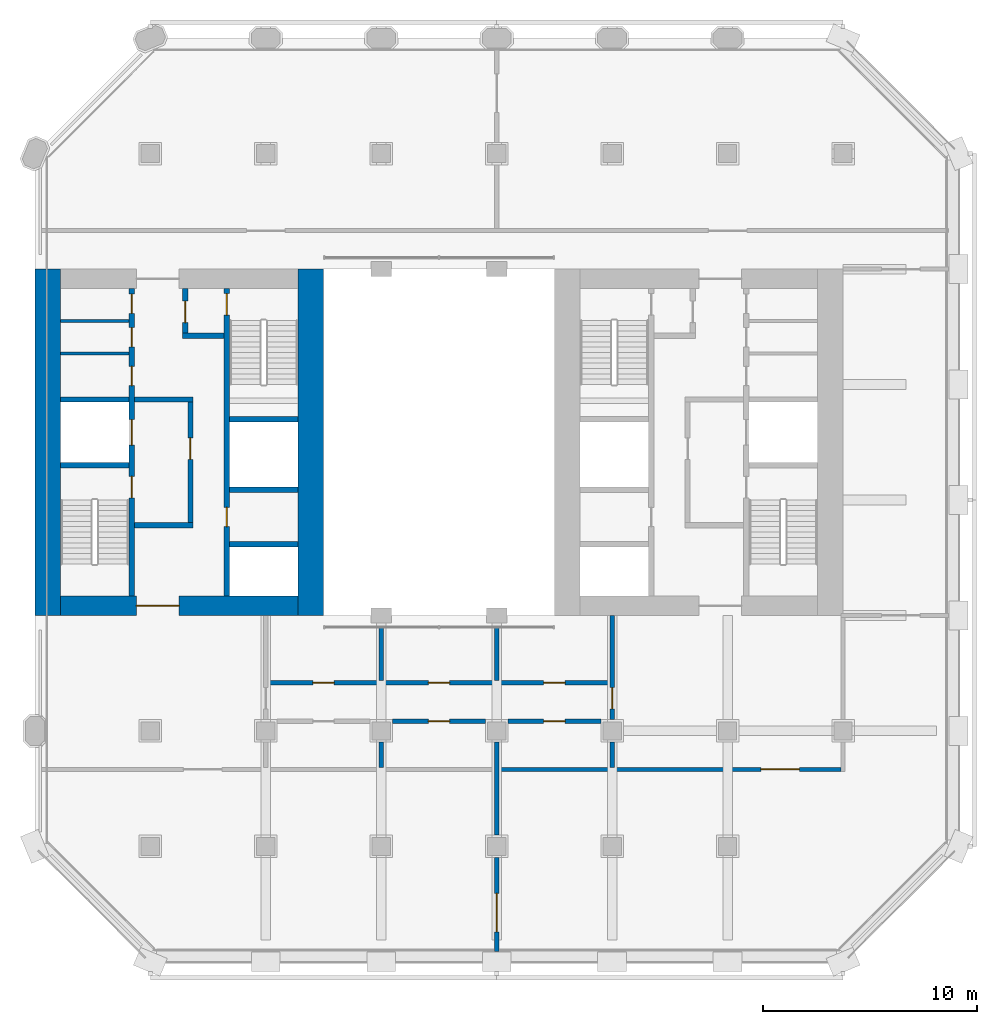
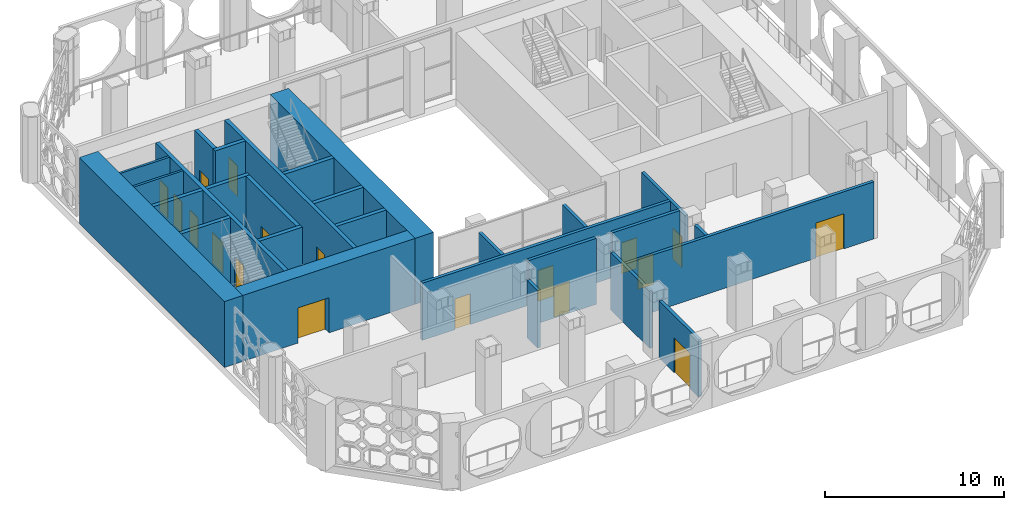
# One storey, part 8 of 14: 28 walls, 18 doors, 18 openings.
"""IFC4 building model written with IfcOpenShell, lengths in metres."""

from ifc_helpers import new_model, si_unit, direction, frame, frame_2d, origin, place, context, subcontext, project, spatial, rectangle, extrude, material, layer, layer_set, type_object, element, fill, save


model = new_model("IFC4")

# Units and contexts
model_context = context("Model", 3, precision=1e-05, world=origin(), true_north=direction((0.0, 1.0)))
body_context = subcontext(model_context, "Body", "Model", "MODEL_VIEW")
ifc_project = project(units=[si_unit("LENGTHUNIT", "METRE"), si_unit("AREAUNIT", "SQUARE_METRE"), si_unit("VOLUMEUNIT", "CUBIC_METRE"), si_unit("PLANEANGLEUNIT", "RADIAN"), si_unit("MASSUNIT", "GRAM", prefix="KILO")], contexts=[model_context])

# Site, building, storey
site_placement = place(None, origin())
site = spatial("IfcSite", under=ifc_project, at=site_placement, CompositionType="ELEMENT")
building_placement = place(site_placement, origin())
building = spatial("IfcBuilding", under=site, at=building_placement, Name="Tabaq Tower and Sports Hall", CompositionType="ELEMENT")
storey_placement = place(building_placement, frame((0.0, 0.0, 175.89990234375)))
storey = spatial("IfcBuildingStorey", under=building, at=storey_placement, Name="L42", CompositionType="ELEMENT", Elevation=175.89990234375)

# Walls
ifc_material_1 = material(Name="Blockwork", Category="masonry")
ifc_layer_1 = layer(ifc_material_1, 0.14990234375)
ifc_layer_set_1 = layer_set([ifc_layer_1], Name="Core room partition 150 Blockwork")
wall_type_1 = type_object("IfcWallType", Name="Core room partition 150 Blockwork", PredefinedType="PARTITIONING", material=ifc_layer_set_1)
for number, where, z_axis, x_axis, name in (
    (1, (6.60009765625, 28.455078125, 0.0), (0.0, 0.0, 1.0), (1.0, 0.0, 0.0), "Core room partition W L42"),
    (2, (6.60009765625, 29.97802734375, 0.0), (0.0, 0.0, 1.0), (1.0, 0.0, 0.0), "Core room partition W L42"),
):
    element("IfcWall", number, at=place(storey_placement, frame(where, z_axis=z_axis, x_axis=x_axis)), inside=storey, type_object=wall_type_1, Name=name, PredefinedType="PARTITIONING", context=body_context, shape_type="SweptSolid", body=[
        extrude(rectangle(XDim=3.199951171875, YDim=0.14990234375, at=frame_2d((1.60009765625, 0.0))), origin(), (0.0, 0.0, 1.0), 4.5),
    ])
ifc_material_2 = material(Name="Concrete C50/60", Category="concrete")
ifc_layer_2 = layer(ifc_material_2, 1.199951171875)
ifc_layer_set_2 = layer_set([ifc_layer_2], Name="Core wall 1200 Concrete C50/60")
wall_type_2 = type_object("IfcWallType", Name="Core wall 1200 Concrete C50/60", PredefinedType="SOLIDWALL", material=ifc_layer_set_2)
for number, where, z_axis, x_axis, name in (
    (3, (6.0, 16.199951171875, 0.0), (0.0, 0.0, 1.0), (0.0, 1.0, 0.0), "Core wall W L42"),
    (4, (18.300048828125, 32.39990234375, 0.0), (0.0, 0.0, 1.0), (0.0, -1.0, 0.0), "Core wall W L42"),
):
    element("IfcWall", number, at=place(storey_placement, frame(where, z_axis=z_axis, x_axis=x_axis)), inside=storey, type_object=wall_type_2, Name=name, PredefinedType="SOLIDWALL", context=body_context, shape_type="SweptSolid", body=[
        extrude(rectangle(XDim=16.199951171875, YDim=1.199951171875, at=frame_2d((8.10009765625, 0.0))), origin(), (0.0, 0.0, 1.0), 4.5),
    ])

# Wall, opening, door
ifc_material_3 = material(Name="Concrete C50/60", Category="concrete")
ifc_layer_3 = layer(ifc_material_3, 0.89990234375)
ifc_layer_set_3 = layer_set([ifc_layer_3], Name="Core wall 900 Concrete C50/60")
wall_type_3 = type_object("IfcWallType", Name="Core wall 900 Concrete C50/60", PredefinedType="SOLIDWALL", material=ifc_layer_set_3)
wall_1_placement = place(storey_placement, frame((17.699951171875, 16.64990234375, 0.0), z_axis=(0.0, 0.0, 1.0), x_axis=(-1.0, 0.0, 0.0)))
wall_1 = element("IfcWall", 5, at=wall_1_placement, inside=storey, type_object=wall_type_3, Name="Core wall W L42", PredefinedType="SOLIDWALL", context=body_context, shape_type="SweptSolid", body=[
    extrude(rectangle(XDim=11.099853515625, YDim=0.89990234375, at=frame_2d((5.5498046875, 0.0))), origin(), (0.0, 0.0, 1.0), 4.5),
])
opening_1_placement = place(wall_1_placement, frame((5.550048828125, 0.0, 0.0)))
opening_1 = element("IfcOpeningElement", 6, at=opening_1_placement, cuts=wall_1, Name="Opening PD-WL42-01", PredefinedType="OPENING", context=body_context, shape_type="SweptSolid", body=[
    extrude(rectangle(XDim=2.0, YDim=2.39990234375, at=frame_2d((1.0, 1.199951171875))), frame((0.0, 0.449951171875, 0.0), z_axis=(0.0, -1.0, 0.0), x_axis=(1.0, 0.0, 0.0)), (0.0, 0.0, 1.0), 0.89990234375),
])
ifc_material_4 = material(Name="Steel fire door", Category="steel")
door_type_1 = type_object("IfcDoorType", Name="Core entrance door 2000", OperationType="DOUBLE_DOOR_SINGLE_SWING", PredefinedType="DOOR", material=ifc_material_4)
door_1_placement = place(opening_1_placement, origin())
door_1 = element("IfcDoor", 7, at=door_1_placement, inside=storey, type_object=door_type_1, Name="Core entrance south W L42", OperationType="DOUBLE_DOOR_SINGLE_SWING", OverallHeight=2.39990234375, OverallWidth=2.0, PredefinedType="DOOR", context=body_context, shape_type="SweptSolid", body=[
    extrude(rectangle(XDim=2.0, YDim=2.39990234375, at=frame_2d((1.0, 1.199951171875))), frame((0.0, 0.02490234375, 0.0), z_axis=(0.0, -1.0, 0.0), x_axis=(1.0, 0.0, 0.0)), (0.0, 0.0, 1.0), 0.050048828125),
])
fill(opening_1, door_1)

ifc_material_5 = material(Name="Blockwork", Category="masonry")
ifc_layer_4 = layer(ifc_material_5, 0.199951171875)
ifc_layer_set_4 = layer_set([ifc_layer_4], Name="Fire compartment wall 200 Blockwork")
wall_type_4 = type_object("IfcWallType", Name="Fire compartment wall 200 Blockwork", PredefinedType="PARTITIONING", material=ifc_layer_set_4)
wall_2_placement = place(storey_placement, frame((22.125732421875, 11.25, 0.0), z_axis=(0.0, 0.0, 1.0), x_axis=(1.0, 0.0, 0.0)))
wall_2 = element("IfcWall", 8, at=wall_2_placement, inside=storey, type_object=wall_type_4, Name="Compartment wall L42", PredefinedType="PARTITIONING", context=body_context, shape_type="SweptSolid", body=[
    extrude(rectangle(XDim=4.3486328125, YDim=0.199951171875, at=frame_2d((2.17431640625, 0.0))), origin(), (0.0, 0.0, 1.0), 4.5),
])
opening_2_placement = place(wall_2_placement, frame((1.67431640625, 0.0, 0.0)))
opening_2 = element("IfcOpeningElement", 9, at=opening_2_placement, cuts=wall_2, Name="Opening L42-004", PredefinedType="OPENING", context=body_context, shape_type="SweptSolid", body=[
    extrude(rectangle(XDim=1.0, YDim=2.10009765625, at=frame_2d((0.5, 1.050048828125))), frame((0.0, 0.10009765625, 0.0), z_axis=(0.0, -1.0, 0.0), x_axis=(1.0, 0.0, 0.0)), (0.0, 0.0, 1.0), 0.199951171875),
])
ifc_material_6 = material(Name="Steel fire door", Category="steel")
door_type_2 = type_object("IfcDoorType", Name="Plant room door 1000 left hand", OperationType="SINGLE_SWING_LEFT", PredefinedType="DOOR", material=ifc_material_6)
door_2_placement = place(opening_2_placement, origin())
door_2 = element("IfcDoor", 10, at=door_2_placement, inside=storey, type_object=door_type_2, Name="Plant room door L42-004", OperationType="SINGLE_SWING_LEFT", OverallHeight=2.10009765625, OverallWidth=1.0, PredefinedType="DOOR", context=body_context, shape_type="SweptSolid", body=[
    extrude(rectangle(XDim=1.0, YDim=2.10009765625, at=frame_2d((0.5, 1.050048828125))), frame((0.0, 0.02490234375, 0.0), z_axis=(0.0, -1.0, 0.0), x_axis=(1.0, 0.0, 0.0)), (0.0, 0.0, 1.0), 0.050048828125),
])
fill(opening_2, door_2)

wall_3_placement = place(storey_placement, frame((27.525634765625, 11.25, 0.0), z_axis=(0.0, 0.0, 1.0), x_axis=(1.0, 0.0, 0.0)))
wall_3 = element("IfcWall", 11, at=wall_3_placement, inside=storey, type_object=wall_type_4, Name="Compartment wall L42", PredefinedType="PARTITIONING", context=body_context, shape_type="SweptSolid", body=[
    extrude(rectangle(XDim=4.3486328125, YDim=0.199951171875, at=frame_2d((2.17431640625, 0.0))), origin(), (0.0, 0.0, 1.0), 4.5),
])
opening_3_placement = place(wall_3_placement, frame((1.67431640625, 0.0, 0.0)))
opening_3 = element("IfcOpeningElement", 12, at=opening_3_placement, cuts=wall_3, Name="Opening L42-006", PredefinedType="OPENING", context=body_context, shape_type="SweptSolid", body=[
    extrude(rectangle(XDim=1.0, YDim=2.10009765625, at=frame_2d((0.5, 1.050048828125))), frame((0.0, 0.10009765625, 0.0), z_axis=(0.0, -1.0, 0.0), x_axis=(1.0, 0.0, 0.0)), (0.0, 0.0, 1.0), 0.199951171875),
])
door_3_placement = place(opening_3_placement, origin())
door_3 = element("IfcDoor", 13, at=door_3_placement, inside=storey, type_object=door_type_2, Name="Plant room door L42-006", OperationType="SINGLE_SWING_LEFT", OverallHeight=2.10009765625, OverallWidth=1.0, PredefinedType="DOOR", context=body_context, shape_type="SweptSolid", body=[
    extrude(rectangle(XDim=1.0, YDim=2.10009765625, at=frame_2d((0.5, 1.050048828125))), frame((0.0, 0.02490234375, 0.0), z_axis=(0.0, -1.0, 0.0), x_axis=(1.0, 0.0, 0.0)), (0.0, 0.0, 1.0), 0.050048828125),
])
fill(opening_3, door_3)

# Wall, openings, doors
wall_4_placement = place(storey_placement, frame((32.300048828125, 13.050048828125, 0.0), z_axis=(0.0, 0.0, 1.0), x_axis=(-1.0, 0.0, 0.0)))
wall_4 = element("IfcWall", 14, at=wall_4_placement, inside=storey, type_object=wall_type_4, Name="Compartment wall L42", PredefinedType="PARTITIONING", context=body_context, shape_type="SweptSolid", body=[
    extrude(rectangle(XDim=16.0, YDim=0.199951171875, at=frame_2d((8.0, 0.0))), origin(), (0.0, 0.0, 1.0), 3.900146484375),
])
opening_4_placement = place(wall_4_placement, frame((12.89990234375, 0.0, 0.0)))
opening_4 = element("IfcOpeningElement", 15, at=opening_4_placement, cuts=wall_4, Name="Opening L42-001", PredefinedType="OPENING", context=body_context, shape_type="SweptSolid", body=[
    extrude(rectangle(XDim=1.0, YDim=2.10009765625, at=frame_2d((0.5, 1.050048828125))), frame((0.0, 0.10009765625, 0.0), z_axis=(0.0, -1.0, 0.0), x_axis=(1.0, 0.0, 0.0)), (0.0, 0.0, 1.0), 0.199951171875),
])
opening_5_placement = place(wall_4_placement, frame((7.5, 0.0, 0.0)))
opening_5 = element("IfcOpeningElement", 16, at=opening_5_placement, cuts=wall_4, Name="Opening L42-003", PredefinedType="OPENING", context=body_context, shape_type="SweptSolid", body=[
    extrude(rectangle(XDim=1.0, YDim=2.10009765625, at=frame_2d((0.5, 1.050048828125))), frame((0.0, 0.10009765625, 0.0), z_axis=(0.0, -1.0, 0.0), x_axis=(1.0, 0.0, 0.0)), (0.0, 0.0, 1.0), 0.199951171875),
])
opening_6_placement = place(wall_4_placement, frame((2.10009765625, 0.0, 0.0)))
opening_6 = element("IfcOpeningElement", 17, at=opening_6_placement, cuts=wall_4, Name="Opening L42-005", PredefinedType="OPENING", context=body_context, shape_type="SweptSolid", body=[
    extrude(rectangle(XDim=1.0, YDim=2.10009765625, at=frame_2d((0.5, 1.050048828125))), frame((0.0, 0.10009765625, 0.0), z_axis=(0.0, -1.0, 0.0), x_axis=(1.0, 0.0, 0.0)), (0.0, 0.0, 1.0), 0.199951171875),
])
door_4_placement = place(opening_4_placement, origin())
door_4 = element("IfcDoor", 18, at=door_4_placement, inside=storey, type_object=door_type_2, Name="Plant room door L42-001", OperationType="SINGLE_SWING_LEFT", OverallHeight=2.10009765625, OverallWidth=1.0, PredefinedType="DOOR", context=body_context, shape_type="SweptSolid", body=[
    extrude(rectangle(XDim=1.0, YDim=2.10009765625, at=frame_2d((0.5, 1.050048828125))), frame((0.0, 0.02490234375, 0.0), z_axis=(0.0, -1.0, 0.0), x_axis=(1.0, 0.0, 0.0)), (0.0, 0.0, 1.0), 0.050048828125),
])
fill(opening_4, door_4)
door_5_placement = place(opening_5_placement, origin())
door_5 = element("IfcDoor", 19, at=door_5_placement, inside=storey, type_object=door_type_2, Name="Plant room door L42-003", OperationType="SINGLE_SWING_LEFT", OverallHeight=2.10009765625, OverallWidth=1.0, PredefinedType="DOOR", context=body_context, shape_type="SweptSolid", body=[
    extrude(rectangle(XDim=1.0, YDim=2.10009765625, at=frame_2d((0.5, 1.050048828125))), frame((0.0, 0.02490234375, 0.0), z_axis=(0.0, -1.0, 0.0), x_axis=(1.0, 0.0, 0.0)), (0.0, 0.0, 1.0), 0.050048828125),
])
fill(opening_5, door_5)
door_6_placement = place(opening_6_placement, origin())
door_6 = element("IfcDoor", 20, at=door_6_placement, inside=storey, type_object=door_type_2, Name="Plant room door L42-005", OperationType="SINGLE_SWING_LEFT", OverallHeight=2.10009765625, OverallWidth=1.0, PredefinedType="DOOR", context=body_context, shape_type="SweptSolid", body=[
    extrude(rectangle(XDim=1.0, YDim=2.10009765625, at=frame_2d((0.5, 1.050048828125))), frame((0.0, 0.02490234375, 0.0), z_axis=(0.0, -1.0, 0.0), x_axis=(1.0, 0.0, 0.0)), (0.0, 0.0, 1.0), 0.050048828125),
])
fill(opening_6, door_6)

# Wall, opening, door
wall_5_placement = place(storey_placement, frame((27.0, 0.47998046875, 0.0), z_axis=(0.0, 0.0, 1.0), x_axis=(0.0, 1.0, 0.0)))
wall_5 = element("IfcWall", 21, at=wall_5_placement, inside=storey, type_object=wall_type_4, Name="Compartment wall L42", PredefinedType="PARTITIONING", context=body_context, shape_type="SweptSolid", body=[
    extrude(rectangle(XDim=4.394287109375, YDim=0.199951171875, at=frame_2d((2.197265625, 0.0))), origin(), (0.0, 0.0, 1.0), 3.900146484375),
])
opening_7_placement = place(wall_5_placement, frame((0.919921875, 0.0, 0.0)))
opening_7 = element("IfcOpeningElement", 22, at=opening_7_placement, cuts=wall_5, Name="Opening L42-011", PredefinedType="OPENING", context=body_context, shape_type="SweptSolid", body=[
    extrude(rectangle(XDim=1.800048828125, YDim=2.39990234375, at=frame_2d((0.89990234375, 1.199951171875))), frame((0.0, 0.10009765625, 0.0), z_axis=(0.0, -1.0, 0.0), x_axis=(1.0, 0.0, 0.0)), (0.0, 0.0, 1.0), 0.199951171875),
])
ifc_material_7 = material(Name="Steel fire door", Category="steel")
door_type_3 = type_object("IfcDoorType", Name="Refuge holding area door 1800", OperationType="DOUBLE_DOOR_SINGLE_SWING", PredefinedType="DOOR", material=ifc_material_7)
door_7_placement = place(opening_7_placement, origin())
door_7 = element("IfcDoor", 23, at=door_7_placement, inside=storey, type_object=door_type_3, Name="Refuge holding area door L42-011", OperationType="DOUBLE_DOOR_SINGLE_SWING", OverallHeight=2.39990234375, OverallWidth=1.800048828125, PredefinedType="DOOR", context=body_context, shape_type="SweptSolid", body=[
    extrude(rectangle(XDim=1.800048828125, YDim=2.39990234375, at=frame_2d((0.89990234375, 1.199951171875))), frame((0.0, 0.02490234375, 0.0), z_axis=(0.0, -1.0, 0.0), x_axis=(1.0, 0.0, 0.0)), (0.0, 0.0, 1.0), 0.050048828125),
])
fill(opening_7, door_7)

wall_6_placement = place(storey_placement, frame((43.10009765625, 9.0, 0.0), z_axis=(0.0, 0.0, 1.0), x_axis=(-1.0, 0.0, 0.0)))
wall_6 = element("IfcWall", 24, at=wall_6_placement, inside=storey, type_object=wall_type_4, Name="Compartment wall L42", PredefinedType="PARTITIONING", context=body_context, shape_type="SweptSolid", body=[
    extrude(rectangle(XDim=16.0, YDim=0.199951171875, at=frame_2d((8.0, 0.0))), origin(), (0.0, 0.0, 1.0), 3.900146484375),
])
opening_8_placement = place(wall_6_placement, frame((1.949951171875, 0.0, 0.0)))
opening_8 = element("IfcOpeningElement", 25, at=opening_8_placement, cuts=wall_6, Name="Opening L42-016", PredefinedType="OPENING", context=body_context, shape_type="SweptSolid", body=[
    extrude(rectangle(XDim=1.800048828125, YDim=2.39990234375, at=frame_2d((0.89990234375, 1.199951171875))), frame((0.0, 0.10009765625, 0.0), z_axis=(0.0, -1.0, 0.0), x_axis=(1.0, 0.0, 0.0)), (0.0, 0.0, 1.0), 0.199951171875),
])
door_8_placement = place(opening_8_placement, origin())
door_8 = element("IfcDoor", 26, at=door_8_placement, inside=storey, type_object=door_type_3, Name="Refuge holding area door L42-016", OperationType="DOUBLE_DOOR_SINGLE_SWING", OverallHeight=2.39990234375, OverallWidth=1.800048828125, PredefinedType="DOOR", context=body_context, shape_type="SweptSolid", body=[
    extrude(rectangle(XDim=1.800048828125, YDim=2.39990234375, at=frame_2d((0.89990234375, 1.199951171875))), frame((0.0, 0.02490234375, 0.0), z_axis=(0.0, -1.0, 0.0), x_axis=(1.0, 0.0, 0.0)), (0.0, 0.0, 1.0), 0.050048828125),
])
fill(opening_8, door_8)

wall_7_placement = place(storey_placement, frame((32.39990234375, 11.32568359375, 0.0), z_axis=(0.0, 0.0, 1.0), x_axis=(0.0, 1.0, 0.0)))
wall_7 = element("IfcWall", 27, at=wall_7_placement, inside=storey, type_object=wall_type_4, Name="Compartment wall L42", PredefinedType="PARTITIONING", context=body_context, shape_type="SweptSolid", body=[
    extrude(rectangle(XDim=4.874267578125, YDim=0.199951171875, at=frame_2d((2.43701171875, 0.0))), origin(), (0.0, 0.0, 1.0), 3.900146484375),
])
opening_9_placement = place(wall_7_placement, frame((0.50439453125, 0.0, 0.0)))
opening_9 = element("IfcOpeningElement", 28, at=opening_9_placement, cuts=wall_7, Name="Opening L42-015", PredefinedType="OPENING", context=body_context, shape_type="SweptSolid", body=[
    extrude(rectangle(XDim=1.0, YDim=2.10009765625, at=frame_2d((0.5, 1.050048828125))), frame((0.0, 0.10009765625, 0.0), z_axis=(0.0, -1.0, 0.0), x_axis=(1.0, 0.0, 0.0)), (0.0, 0.0, 1.0), 0.199951171875),
])
ifc_material_8 = material(Name="Steel fire door", Category="steel")
door_type_4 = type_object("IfcDoorType", Name="Plant room door 1000 right hand", OperationType="SINGLE_SWING_RIGHT", PredefinedType="DOOR", material=ifc_material_8)
door_9_placement = place(opening_9_placement, origin())
door_9 = element("IfcDoor", 29, at=door_9_placement, inside=storey, type_object=door_type_4, Name="Plant room door L42-015", OperationType="SINGLE_SWING_RIGHT", OverallHeight=2.10009765625, OverallWidth=1.0, PredefinedType="DOOR", context=body_context, shape_type="SweptSolid", body=[
    extrude(rectangle(XDim=1.0, YDim=2.10009765625, at=frame_2d((0.5, 1.050048828125))), frame((0.0, 0.02490234375, 0.0), z_axis=(0.0, -1.0, 0.0), x_axis=(1.0, 0.0, 0.0)), (0.0, 0.0, 1.0), 0.050048828125),
])
fill(opening_9, door_9)

# Walls
wall_8_placement = place(storey_placement, frame((32.39990234375, 10.2744140625, 0.0), z_axis=(0.0, 0.0, 1.0), x_axis=(0.0, -1.0, 0.0)))
element("IfcWall", 30, at=wall_8_placement, inside=storey, type_object=wall_type_4, Name="Compartment wall L42", PredefinedType="PARTITIONING", context=body_context, shape_type="SweptSolid", body=[
    extrude(rectangle(XDim=1.17431640625, YDim=0.199951171875, at=frame_2d((0.587158203125, 0.0))), origin(), (0.0, 0.0, 1.0), 3.900146484375),
])
wall_9_placement = place(storey_placement, frame((21.60009765625, 13.14990234375, 0.0), z_axis=(0.0, 0.0, 1.0), x_axis=(0.0, 1.0, 0.0)))
element("IfcWall", 31, at=wall_9_placement, inside=storey, type_object=wall_type_4, Name="Compartment wall L42", PredefinedType="PARTITIONING", context=body_context, shape_type="SweptSolid", body=[
    extrude(rectangle(XDim=2.55517578125, YDim=0.199951171875, at=frame_2d((1.277587890625, 0.0))), origin(), (0.0, 0.0, 1.0), 3.900146484375),
])
wall_10_placement = place(storey_placement, frame((21.60009765625, 9.10009765625, 0.0), z_axis=(0.0, 0.0, 1.0), x_axis=(0.0, 1.0, 0.0)))
element("IfcWall", 32, at=wall_10_placement, inside=storey, type_object=wall_type_4, Name="Compartment wall L42", PredefinedType="PARTITIONING", context=body_context, shape_type="SweptSolid", body=[
    extrude(rectangle(XDim=1.17431640625, YDim=0.199951171875, at=frame_2d((0.587158203125, 0.0))), origin(), (0.0, 0.0, 1.0), 3.900146484375),
])
wall_11_placement = place(storey_placement, frame((27.0, 13.14990234375, 0.0), z_axis=(0.0, 0.0, 1.0), x_axis=(0.0, 1.0, 0.0)))
element("IfcWall", 33, at=wall_11_placement, inside=storey, type_object=wall_type_4, Name="Compartment wall L42", PredefinedType="PARTITIONING", context=body_context, shape_type="SweptSolid", body=[
    extrude(rectangle(XDim=2.55517578125, YDim=0.199951171875, at=frame_2d((1.277587890625, 0.0))), origin(), (0.0, 0.0, 1.0), 3.900146484375),
])
wall_12_placement = place(storey_placement, frame((27.0, 5.92578125, 0.0), z_axis=(0.0, 0.0, 1.0), x_axis=(0.0, 1.0, 0.0)))
element("IfcWall", 34, at=wall_12_placement, inside=storey, type_object=wall_type_4, Name="Compartment wall L42", PredefinedType="PARTITIONING", context=body_context, shape_type="SweptSolid", body=[
    extrude(rectangle(XDim=4.3486328125, YDim=0.199951171875, at=frame_2d((2.17431640625, 0.0))), origin(), (0.0, 0.0, 1.0), 3.900146484375),
])

# Wall, openings, doors
ifc_material_9 = material(Name="Concrete C40/50", Category="concrete")
ifc_layer_5 = layer(ifc_material_9, 0.25)
ifc_layer_set_5 = layer_set([ifc_layer_5], Name="Shaft and stair wall 250 Concrete C40/50")
wall_type_5 = type_object("IfcWallType", Name="Shaft and stair wall 250 Concrete C40/50", PredefinedType="SOLIDWALL", material=ifc_layer_set_5)
wall_13_placement = place(storey_placement, frame((9.925048828125, 17.10009765625, 0.0), z_axis=(0.0, 0.0, 1.0), x_axis=(0.0, 1.0, 0.0)))
wall_13 = element("IfcWall", 35, at=wall_13_placement, inside=storey, type_object=wall_type_5, Name="Shaft wall W L42", PredefinedType="SOLIDWALL", context=body_context, shape_type="SweptSolid", body=[
    extrude(rectangle(XDim=14.39990234375, YDim=0.25, at=frame_2d((7.199951171875, 0.0))), origin(), (0.0, 0.0, 1.0), 4.5),
])
opening_10_placement = place(wall_13_placement, frame((4.60009765625, 0.0, 0.0)))
opening_10 = element("IfcOpeningElement", 36, at=opening_10_placement, cuts=wall_13, Name="Opening SD-WL42-03", PredefinedType="OPENING", context=body_context, shape_type="SweptSolid", body=[
    extrude(rectangle(XDim=1.0, YDim=2.10009765625, at=frame_2d((0.5, 1.050048828125))), frame((0.0, 0.125, 0.0), z_axis=(0.0, -1.0, 0.0), x_axis=(1.0, 0.0, 0.0)), (0.0, 0.0, 1.0), 0.25),
])
opening_11_placement = place(wall_13_placement, frame((7.0625, 0.0, 0.0)))
opening_11 = element("IfcOpeningElement", 37, at=opening_11_placement, cuts=wall_13, Name="Opening LD-FF1-L42", PredefinedType="OPENING", context=body_context, shape_type="SweptSolid", body=[
    extrude(rectangle(XDim=1.199951171875, YDim=2.10009765625, at=frame_2d((0.60009765625, 1.050048828125))), frame((0.0, 0.125, 0.0), z_axis=(0.0, -1.0, 0.0), x_axis=(1.0, 0.0, 0.0)), (0.0, 0.0, 1.0), 0.25),
])
opening_12_placement = place(wall_13_placement, frame((9.8525390625, 0.0, 0.0)))
opening_12 = element("IfcOpeningElement", 38, at=opening_12_placement, cuts=wall_13, Name="Opening RD-WL42-08", PredefinedType="OPENING", context=body_context, shape_type="SweptSolid", body=[
    extrude(rectangle(XDim=0.89990234375, YDim=2.10009765625, at=frame_2d((0.449951171875, 1.050048828125))), frame((0.0, 0.125, 0.0), z_axis=(0.0, -1.0, 0.0), x_axis=(1.0, 0.0, 0.0)), (0.0, 0.0, 1.0), 0.25),
])
opening_13_placement = place(wall_13_placement, frame((11.66650390625, 0.0, 0.0)))
opening_13 = element("IfcOpeningElement", 39, at=opening_13_placement, cuts=wall_13, Name="Opening RD-WL42-09", PredefinedType="OPENING", context=body_context, shape_type="SweptSolid", body=[
    extrude(rectangle(XDim=0.89990234375, YDim=2.10009765625, at=frame_2d((0.449951171875, 1.050048828125))), frame((0.0, 0.125, 0.0), z_axis=(0.0, -1.0, 0.0), x_axis=(1.0, 0.0, 0.0)), (0.0, 0.0, 1.0), 0.25),
])
opening_14_placement = place(wall_13_placement, frame((13.2265625, 0.0, 0.0)))
opening_14 = element("IfcOpeningElement", 40, at=opening_14_placement, cuts=wall_13, Name="Opening RD-WL42-10", PredefinedType="OPENING", context=body_context, shape_type="SweptSolid", body=[
    extrude(rectangle(XDim=0.89990234375, YDim=2.10009765625, at=frame_2d((0.449951171875, 1.050048828125))), frame((0.0, 0.125, 0.0), z_axis=(0.0, -1.0, 0.0), x_axis=(1.0, 0.0, 0.0)), (0.0, 0.0, 1.0), 0.25),
])
ifc_material_10 = material(Name="Steel fire door", Category="steel")
door_type_5 = type_object("IfcDoorType", Name="Core room door 900", OperationType="SINGLE_SWING_LEFT", PredefinedType="DOOR", material=ifc_material_10)
door_10_placement = place(opening_12_placement, origin())
door_10 = element("IfcDoor", 41, at=door_10_placement, inside=storey, type_object=door_type_5, Name="Door Refuge Floor Plant Room W L42", OperationType="SINGLE_SWING_LEFT", OverallHeight=2.10009765625, OverallWidth=0.89990234375, PredefinedType="DOOR", context=body_context, shape_type="SweptSolid", body=[
    extrude(rectangle(XDim=0.89990234375, YDim=2.10009765625, at=frame_2d((0.449951171875, 1.050048828125))), frame((0.0, 0.02490234375, 0.0), z_axis=(0.0, -1.0, 0.0), x_axis=(1.0, 0.0, 0.0)), (0.0, 0.0, 1.0), 0.050048828125),
])
fill(opening_12, door_10)
door_11_placement = place(opening_13_placement, origin())
door_11 = element("IfcDoor", 42, at=door_11_placement, inside=storey, type_object=door_type_5, Name="Door Electrical Room W L42", OperationType="SINGLE_SWING_LEFT", OverallHeight=2.10009765625, OverallWidth=0.89990234375, PredefinedType="DOOR", context=body_context, shape_type="SweptSolid", body=[
    extrude(rectangle(XDim=0.89990234375, YDim=2.10009765625, at=frame_2d((0.449951171875, 1.050048828125))), frame((0.0, 0.02490234375, 0.0), z_axis=(0.0, -1.0, 0.0), x_axis=(1.0, 0.0, 0.0)), (0.0, 0.0, 1.0), 0.050048828125),
])
fill(opening_13, door_11)
door_12_placement = place(opening_14_placement, origin())
door_12 = element("IfcDoor", 43, at=door_12_placement, inside=storey, type_object=door_type_5, Name="Door Smoke Extract Riser Room W L42", OperationType="SINGLE_SWING_LEFT", OverallHeight=2.10009765625, OverallWidth=0.89990234375, PredefinedType="DOOR", context=body_context, shape_type="SweptSolid", body=[
    extrude(rectangle(XDim=0.89990234375, YDim=2.10009765625, at=frame_2d((0.449951171875, 1.050048828125))), frame((0.0, 0.02490234375, 0.0), z_axis=(0.0, -1.0, 0.0), x_axis=(1.0, 0.0, 0.0)), (0.0, 0.0, 1.0), 0.050048828125),
])
fill(opening_14, door_12)
ifc_material_11 = material(Name="Stainless steel", Category="steel")
door_type_6 = type_object("IfcDoorType", Name="Lift landing door 1200", OperationType="DOUBLE_DOOR_SLIDING", PredefinedType="DOOR", material=ifc_material_11)
door_13_placement = place(opening_11_placement, origin())
door_13 = element("IfcDoor", 44, at=door_13_placement, inside=storey, type_object=door_type_6, Name="Lift landing door FF1 W L42", OperationType="DOUBLE_DOOR_SLIDING", OverallHeight=2.10009765625, OverallWidth=1.199951171875, PredefinedType="DOOR", context=body_context, shape_type="SweptSolid", body=[
    extrude(rectangle(XDim=1.199951171875, YDim=2.10009765625, at=frame_2d((0.60009765625, 1.050048828125))), frame((0.0, 0.02490234375, 0.0), z_axis=(0.0, -1.0, 0.0), x_axis=(1.0, 0.0, 0.0)), (0.0, 0.0, 1.0), 0.050048828125),
])
fill(opening_11, door_13)
ifc_material_12 = material(Name="Steel fire door", Category="steel")
door_type_7 = type_object("IfcDoorType", Name="Stair door 1000", OperationType="SINGLE_SWING_LEFT", PredefinedType="DOOR", material=ifc_material_12)
door_14_placement = place(opening_10_placement, origin())
door_14 = element("IfcDoor", 45, at=door_14_placement, inside=storey, type_object=door_type_7, Name="Stair door ST1 W L42", OperationType="SINGLE_SWING_LEFT", OverallHeight=2.10009765625, OverallWidth=1.0, PredefinedType="DOOR", context=body_context, shape_type="SweptSolid", body=[
    extrude(rectangle(XDim=1.0, YDim=2.10009765625, at=frame_2d((0.5, 1.050048828125))), frame((0.0, 0.02490234375, 0.0), z_axis=(0.0, -1.0, 0.0), x_axis=(1.0, 0.0, 0.0)), (0.0, 0.0, 1.0), 0.050048828125),
])
fill(opening_10, door_14)

wall_14_placement = place(storey_placement, frame((14.375, 17.10009765625, 0.0), z_axis=(0.0, 0.0, 1.0), x_axis=(0.0, 1.0, 0.0)))
wall_14 = element("IfcWall", 46, at=wall_14_placement, inside=storey, type_object=wall_type_5, Name="Shaft wall W L42", PredefinedType="SOLIDWALL", context=body_context, shape_type="SweptSolid", body=[
    extrude(rectangle(XDim=14.39990234375, YDim=0.25, at=frame_2d((7.199951171875, 0.0))), origin(), (0.0, 0.0, 1.0), 4.5),
])
opening_15_placement = place(wall_14_placement, frame((13.14990234375, 0.0, 0.0)))
opening_15 = element("IfcOpeningElement", 47, at=opening_15_placement, cuts=wall_14, Name="Opening SD-WL42-05", PredefinedType="OPENING", context=body_context, shape_type="SweptSolid", body=[
    extrude(rectangle(XDim=1.0, YDim=2.10009765625, at=frame_2d((0.5, 1.050048828125))), frame((0.0, 0.125, 0.0), z_axis=(0.0, -1.0, 0.0), x_axis=(1.0, 0.0, 0.0)), (0.0, 0.0, 1.0), 0.25),
])
opening_16_placement = place(wall_14_placement, frame((3.25, 0.0, 0.0)))
opening_16 = element("IfcOpeningElement", 48, at=opening_16_placement, cuts=wall_14, Name="Opening RD-WL42-11", PredefinedType="OPENING", context=body_context, shape_type="SweptSolid", body=[
    extrude(rectangle(XDim=0.89990234375, YDim=2.10009765625, at=frame_2d((0.449951171875, 1.050048828125))), frame((0.0, 0.125, 0.0), z_axis=(0.0, -1.0, 0.0), x_axis=(1.0, 0.0, 0.0)), (0.0, 0.0, 1.0), 0.25),
])
door_15_placement = place(opening_16_placement, origin())
door_15 = element("IfcDoor", 49, at=door_15_placement, inside=storey, type_object=door_type_5, Name="Door Cleaner's Store W L42", OperationType="SINGLE_SWING_LEFT", OverallHeight=2.10009765625, OverallWidth=0.89990234375, PredefinedType="DOOR", context=body_context, shape_type="SweptSolid", body=[
    extrude(rectangle(XDim=0.89990234375, YDim=2.10009765625, at=frame_2d((0.449951171875, 1.050048828125))), frame((0.0, 0.02490234375, 0.0), z_axis=(0.0, -1.0, 0.0), x_axis=(1.0, 0.0, 0.0)), (0.0, 0.0, 1.0), 0.050048828125),
])
fill(opening_16, door_15)
door_16_placement = place(opening_15_placement, origin())
door_16 = element("IfcDoor", 50, at=door_16_placement, inside=storey, type_object=door_type_7, Name="Stair door ST2 W L42", OperationType="SINGLE_SWING_LEFT", OverallHeight=2.10009765625, OverallWidth=1.0, PredefinedType="DOOR", context=body_context, shape_type="SweptSolid", body=[
    extrude(rectangle(XDim=1.0, YDim=2.10009765625, at=frame_2d((0.5, 1.050048828125))), frame((0.0, 0.02490234375, 0.0), z_axis=(0.0, -1.0, 0.0), x_axis=(1.0, 0.0, 0.0)), (0.0, 0.0, 1.0), 0.050048828125),
])
fill(opening_15, door_16)

# Walls
for number, where, z_axis, x_axis, name in (
    (51, (6.60009765625, 23.22509765625, 0.0), (0.0, 0.0, 1.0), (1.0, 0.0, 0.0), "Stair enclosure wall W L42"),
    (52, (14.5, 25.375, 0.0), (0.0, 0.0, 1.0), (1.0, 0.0, 0.0), "Stair enclosure wall W L42"),
    (53, (14.5, 22.074951171875, 0.0), (0.0, 0.0, 1.0), (1.0, 0.0, 0.0), "Shaft wall W L42"),
    (54, (6.60009765625, 26.300048828125, 0.0), (0.0, 0.0, 1.0), (1.0, 0.0, 0.0), "Shaft wall W L42"),
):
    element("IfcWall", number, at=place(storey_placement, frame(where, z_axis=z_axis, x_axis=x_axis)), inside=storey, type_object=wall_type_5, Name=name, PredefinedType="SOLIDWALL", context=body_context, shape_type="SweptSolid", body=[
        extrude(rectangle(XDim=3.199951171875, YDim=0.25, at=frame_2d((1.60009765625, 0.0))), origin(), (0.0, 0.0, 1.0), 4.5),
    ])
for number, where, z_axis, x_axis, name in (
    (55, (10.050048828125, 26.300048828125, 0.0), (0.0, 0.0, 1.0), (1.0, 0.0, 0.0), "Fire-fighting lobby wall W L42"),
    (56, (10.050048828125, 20.425048828125, 0.0), (0.0, 0.0, 1.0), (1.0, 0.0, 0.0), "Fire-fighting lobby wall W L42"),
):
    element("IfcWall", number, at=place(storey_placement, frame(where, z_axis=z_axis, x_axis=x_axis)), inside=storey, type_object=wall_type_5, Name=name, PredefinedType="SOLIDWALL", context=body_context, shape_type="SweptSolid", body=[
        extrude(rectangle(XDim=2.75, YDim=0.25, at=frame_2d((1.375, 0.0))), origin(), (0.0, 0.0, 1.0), 4.5),
    ])

# Wall, opening, door
wall_15_placement = place(storey_placement, frame((12.425048828125, 29.39990234375, 0.0), z_axis=(0.0, 0.0, 1.0), x_axis=(0.0, 1.0, 0.0)))
wall_15 = element("IfcWall", 57, at=wall_15_placement, inside=storey, type_object=wall_type_5, Name="Fire-fighting lobby wall W L42", PredefinedType="SOLIDWALL", context=body_context, shape_type="SweptSolid", body=[
    extrude(rectangle(XDim=2.10009765625, YDim=0.25, at=frame_2d((1.050048828125, 0.0))), origin(), (0.0, 0.0, 1.0), 4.5),
])
opening_17_placement = place(wall_15_placement, frame((0.5, 0.0, 0.0)))
opening_17 = element("IfcOpeningElement", 58, at=opening_17_placement, cuts=wall_15, Name="Opening FD-WL42-06", PredefinedType="OPENING", context=body_context, shape_type="SweptSolid", body=[
    extrude(rectangle(XDim=1.0, YDim=2.10009765625, at=frame_2d((0.5, 1.050048828125))), frame((0.0, 0.125, 0.0), z_axis=(0.0, -1.0, 0.0), x_axis=(1.0, 0.0, 0.0)), (0.0, 0.0, 1.0), 0.25),
])
ifc_material_13 = material(Name="Steel fire door", Category="steel")
door_type_8 = type_object("IfcDoorType", Name="Fire-fighting lobby door 1000", OperationType="SINGLE_SWING_LEFT", PredefinedType="DOOR", material=ifc_material_13)
door_17_placement = place(opening_17_placement, origin())
door_17 = element("IfcDoor", 59, at=door_17_placement, inside=storey, type_object=door_type_8, Name="Stair lobby door W L42", OperationType="SINGLE_SWING_LEFT", OverallHeight=2.10009765625, OverallWidth=1.0, PredefinedType="DOOR", context=body_context, shape_type="SweptSolid", body=[
    extrude(rectangle(XDim=1.0, YDim=2.10009765625, at=frame_2d((0.5, 1.050048828125))), frame((0.0, 0.02490234375, 0.0), z_axis=(0.0, -1.0, 0.0), x_axis=(1.0, 0.0, 0.0)), (0.0, 0.0, 1.0), 0.050048828125),
])
fill(opening_17, door_17)

# Wall
wall_16_placement = place(storey_placement, frame((12.300048828125, 29.27490234375, 0.0), z_axis=(0.0, 0.0, 1.0), x_axis=(1.0, 0.0, 0.0)))
element("IfcWall", 60, at=wall_16_placement, inside=storey, type_object=wall_type_5, Name="Fire-fighting lobby wall W L42", PredefinedType="SOLIDWALL", context=body_context, shape_type="SweptSolid", body=[
    extrude(rectangle(XDim=1.949951171875, YDim=0.25, at=frame_2d((0.97509765625, 0.0))), origin(), (0.0, 0.0, 1.0), 4.5),
])

# Wall, opening, door
wall_17_placement = place(storey_placement, frame((12.675048828125, 20.550048828125, 0.0), z_axis=(0.0, 0.0, 1.0), x_axis=(0.0, 1.0, 0.0)))
wall_17 = element("IfcWall", 61, at=wall_17_placement, inside=storey, type_object=wall_type_5, Name="Fire-fighting lobby wall W L42", PredefinedType="SOLIDWALL", context=body_context, shape_type="SweptSolid", body=[
    extrude(rectangle(XDim=5.625, YDim=0.25, at=frame_2d((2.8125, 0.0))), origin(), (0.0, 0.0, 1.0), 4.5),
])
opening_18_placement = place(wall_17_placement, frame((2.949951171875, 0.0, 0.0)))
opening_18 = element("IfcOpeningElement", 62, at=opening_18_placement, cuts=wall_17, Name="Opening FD-WL42-04", PredefinedType="OPENING", context=body_context, shape_type="SweptSolid", body=[
    extrude(rectangle(XDim=1.0, YDim=2.10009765625, at=frame_2d((0.5, 1.050048828125))), frame((0.0, 0.125, 0.0), z_axis=(0.0, -1.0, 0.0), x_axis=(1.0, 0.0, 0.0)), (0.0, 0.0, 1.0), 0.25),
])
door_18_placement = place(opening_18_placement, origin())
door_18 = element("IfcDoor", 63, at=door_18_placement, inside=storey, type_object=door_type_8, Name="Fire-fighting lobby door W L42", OperationType="SINGLE_SWING_LEFT", OverallHeight=2.10009765625, OverallWidth=1.0, PredefinedType="DOOR", context=body_context, shape_type="SweptSolid", body=[
    extrude(rectangle(XDim=1.0, YDim=2.10009765625, at=frame_2d((0.5, 1.050048828125))), frame((0.0, 0.02490234375, 0.0), z_axis=(0.0, -1.0, 0.0), x_axis=(1.0, 0.0, 0.0)), (0.0, 0.0, 1.0), 0.050048828125),
])
fill(opening_18, door_18)

# Wall
wall_18_placement = place(storey_placement, frame((14.5, 19.52490234375, 0.0), z_axis=(0.0, 0.0, 1.0), x_axis=(1.0, 0.0, 0.0)))
element("IfcWall", 64, at=wall_18_placement, inside=storey, type_object=wall_type_5, Name="Shaft wall W L42", PredefinedType="SOLIDWALL", context=body_context, shape_type="SweptSolid", body=[
    extrude(rectangle(XDim=3.199951171875, YDim=0.25, at=frame_2d((1.60009765625, 0.0))), origin(), (0.0, 0.0, 1.0), 4.5),
])

save(model, "model.ifc")
